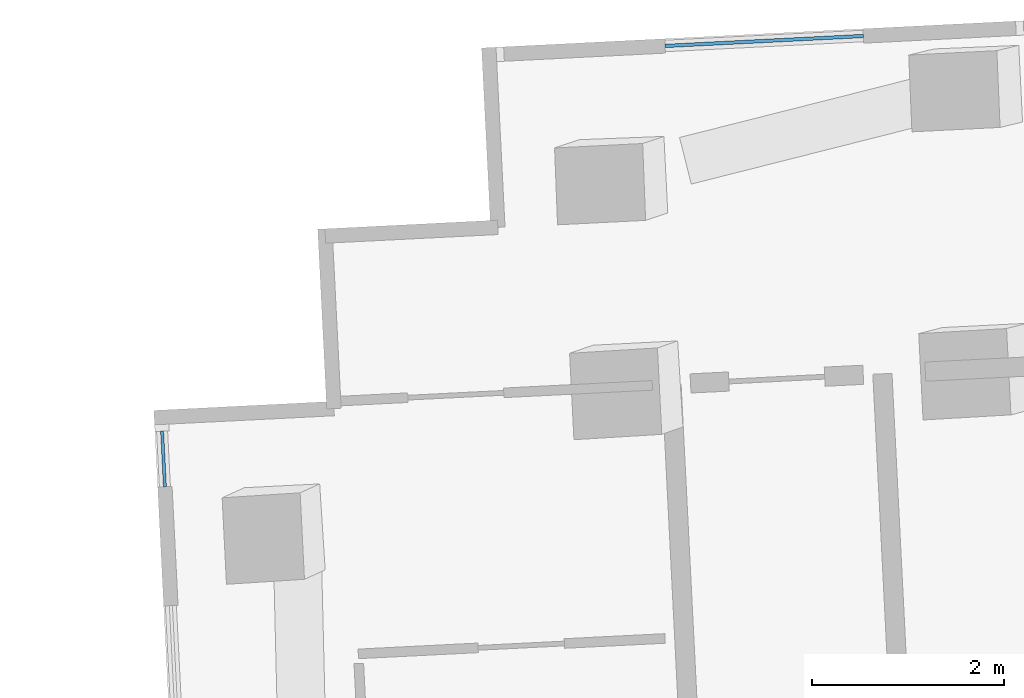
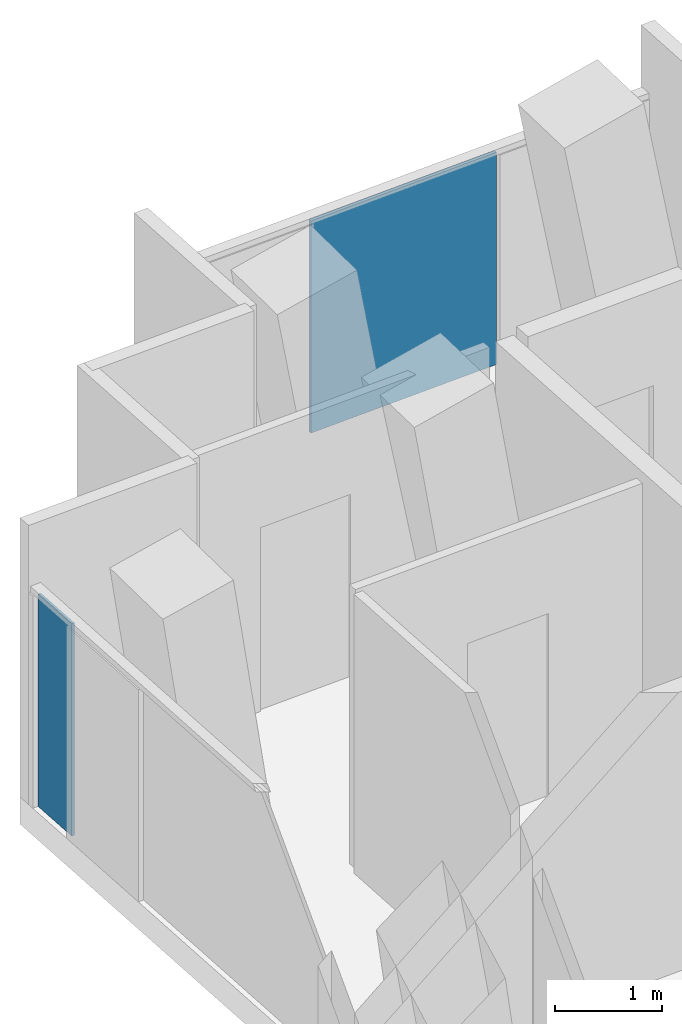
# One storey, part 16 of 25: 2 plates, 2 elements without a shape of their own.
"""IFC4 building model written with IfcOpenShell, lengths in metres."""

import ifcopenshell
import ifcopenshell.guid

model = None  # the IFC model being written
_history = None  # IfcOwnerHistory: only IFC2X3 demands one
_inside = {}  # id of a spatial element -> (the spatial element, [elements in it])
_under = {}  # id of a project, library or spatial element -> (it, [spatial elements below it])
_declared = {}  # id of a project -> (the project, [libraries it declares])
_typed = {}  # id of a type object -> (the type object, [elements of that type])
_made_of = {}  # id of a material, layer set ... -> (it, [elements and type objects made of it])


def new_model(schema):
    """Start an empty IFC model of exactly this schema.

    Asked for "IFC4X3", IfcOpenShell would pick the latest addendum, in which some entities
    have other attributes; the version numbers below select the first issue.
    IFC2X3 requires an IfcOwnerHistory on every rooted entity: one is made here for all.
    """
    global model, _history
    if schema == "IFC4X3":
        model = ifcopenshell.file(schema_version=(4, 3, 0, 0))
    else:
        model = ifcopenshell.file(schema=schema)
    _inside.clear()
    _under.clear()
    _declared.clear()
    _typed.clear()
    _made_of.clear()
    _history = None
    if model.schema == "IFC2X3":
        org = make("IfcOrganization", Name="unknown")
        user = make(
            "IfcPersonAndOrganization",
            ThePerson=make("IfcPerson", FamilyName="unknown"),
            TheOrganization=org,
        )
        app = make(
            "IfcApplication",
            ApplicationDeveloper=org,
            Version="unknown",
            ApplicationFullName="unknown",
            ApplicationIdentifier="unknown",
        )
        _history = make(
            "IfcOwnerHistory",
            OwningUser=user,
            OwningApplication=app,
            ChangeAction="ADDED",
            CreationDate=0,
        )
    return model


def make(cls, **values):
    """One entity of the class cls with the attributes given. An attribute that is None is left unset."""
    return model.create_entity(
        cls, **{name: value for name, value in values.items() if value is not None}
    )


def rooted(cls, **values):
    """An entity with a GlobalId (a new one), such as an element, a storey or a relation."""
    return make(cls, GlobalId=ifcopenshell.guid.new(), OwnerHistory=_history, **values)


def si_unit(unit_type, name, prefix=None):
    """IfcSIUnit, for example si_unit("LENGTHUNIT", "METRE", prefix="MILLI")."""
    return make("IfcSIUnit", UnitType=unit_type, Prefix=prefix, Name=name)


def assignment(units):
    """IfcUnitAssignment: the units of a project."""
    return None if units is None else make("IfcUnitAssignment", Units=units)


def point(xyz):
    """IfcCartesianPoint."""
    return None if xyz is None else make("IfcCartesianPoint", Coordinates=xyz)


def direction(xyz):
    """IfcDirection."""
    return None if xyz is None else make("IfcDirection", DirectionRatios=xyz)


def frame(location, z_axis=None, x_axis=None):
    """IfcAxis2Placement3D, a coordinate frame: its origin and axes. An axis left out is left unset."""
    return make(
        "IfcAxis2Placement3D",
        Location=point(location),
        Axis=direction(z_axis),
        RefDirection=direction(x_axis),
    )


def frame_2d(location, x_axis=None):
    """IfcAxis2Placement2D, a coordinate frame in the plane: its origin and x axis."""
    return make(
        "IfcAxis2Placement2D", Location=point(location), RefDirection=direction(x_axis)
    )


def origin():
    """The frame at (0, 0, 0) with its axes left unset."""
    return frame((0.0, 0.0, 0.0))


def origin_2d():
    """The frame at (0, 0) in the plane with its x axis left unset."""
    return frame_2d((0.0, 0.0))


def place(relative_to, where):
    """IfcLocalPlacement: puts the frame where relative to a parent placement (None: the world)."""
    return make(
        "IfcLocalPlacement", PlacementRelTo=relative_to, RelativePlacement=where
    )


def context(
    kind, dimensions, precision=None, world=None, true_north=None, identifier=None
):
    """IfcGeometricRepresentationContext, for example the 3D "Model" context."""
    return make(
        "IfcGeometricRepresentationContext",
        ContextIdentifier=identifier,
        ContextType=kind,
        CoordinateSpaceDimension=dimensions,
        Precision=precision,
        WorldCoordinateSystem=world,
        TrueNorth=true_north,
    )


def subcontext(parent, identifier, kind, view, scale=None):
    """IfcGeometricRepresentationSubContext, for example "Body" below "Model"."""
    return make(
        "IfcGeometricRepresentationSubContext",
        ContextIdentifier=identifier,
        ContextType=kind,
        ParentContext=parent,
        TargetScale=scale,
        TargetView=view,
    )


def project(units=None, contexts=None):
    """IfcProject with its units and contexts."""
    return rooted(
        "IfcProject",
        Name="project",
        RepresentationContexts=contexts,
        UnitsInContext=assignment(units),
    )


def spatial(cls, under=None, at=None, **own):
    """A site, building, storey or space (cls), placed at a placement, below another one or the project."""
    s = rooted(cls, ObjectPlacement=at, **own)
    if under is not None:
        _under.setdefault(under.id(), (under, []))[1].append(s)
    return s


def profile(cls, at=None, kind="AREA", **sizes):
    """A parametric profile (cls). Its sizes go by their IFC names, for example OverallWidth=200.0."""
    return make(cls, ProfileType=kind, Position=at, **sizes)


def rectangle(**sizes):
    """IfcRectangleProfileDef."""
    return profile("IfcRectangleProfileDef", **sizes)


def extrude(swept, where, along, depth):
    """IfcExtrudedAreaSolid: the profile swept, set in the frame where, extruded along a direction by depth."""
    return make(
        "IfcExtrudedAreaSolid",
        SweptArea=swept,
        Position=where,
        ExtrudedDirection=direction(along),
        Depth=depth,
    )


def shape(context_of_items, identifier, shape_type, items):
    """IfcShapeRepresentation: the items that make up one representation, for example the "Body"."""
    return make(
        "IfcShapeRepresentation",
        ContextOfItems=context_of_items,
        RepresentationIdentifier=identifier,
        RepresentationType=shape_type,
        Items=items,
    )


def material(Name=None, Category=None):
    """IfcMaterial."""
    return make("IfcMaterial", Name=Name, Category=Category)


def layer(
    of_material, thickness, ventilated=None, Name=None, Category=None, Priority=None
):
    """IfcMaterialLayer: one layer of a wall or slab, of a material (None: an air gap)."""
    return make(
        "IfcMaterialLayer",
        Material=of_material,
        LayerThickness=thickness,
        IsVentilated=ventilated,
        Name=Name,
        Category=Category,
        Priority=Priority,
    )


def layer_set(layers, Name=None):
    """IfcMaterialLayerSet."""
    return make("IfcMaterialLayerSet", MaterialLayers=layers, LayerSetName=Name)


def made_of(thing, what):
    """Note that an element or type object is made of a material, layer set ...; save() writes the relation."""
    if what is not None:
        _made_of.setdefault(what.id(), (what, []))[1].append(thing)
    return thing


def type_object(cls, material=None, **own):
    """A type object (cls), such as IfcWallType, which elements share."""
    return made_of(rooted(cls, **own), material)


def element(
    cls,
    number,
    at=None,
    inside=None,
    cuts=None,
    type_object=None,
    material=None,
    context=None,
    identifier="Body",
    shape_type=None,
    held_by="IfcProductDefinitionShape",
    body=None,
    shapes=None,
    **own,
):
    """One element of the class cls, such as IfcWall. Its Tag is "e" and its number.

    at: its placement. inside: the storey or other place that contains it. cuts: it is an
    opening in that element (IfcRelVoidsElement). A single representation is given by context,
    identifier, shape_type and body (its items); several are given by shapes. held_by: the class
    of the entity that holds the representations. save() writes the other relations.
    """
    e = rooted(cls, Tag="e%d" % number, ObjectPlacement=at, **own)
    if body is not None:
        shapes = [shape(context, identifier, shape_type, body)]
    if shapes is not None:
        e.Representation = make(held_by, Representations=shapes)
    if inside is not None:
        _inside.setdefault(inside.id(), (inside, []))[1].append(e)
    if cuts is not None:
        rooted(
            "IfcRelVoidsElement", RelatingBuildingElement=cuts, RelatedOpeningElement=e
        )
    if type_object is not None:
        _typed.setdefault(type_object.id(), (type_object, []))[1].append(e)
    return made_of(e, material)


def aggregate(whole, parts):
    """IfcRelAggregates: a whole, such as a stair, and the parts it consists of."""
    return rooted("IfcRelAggregates", RelatingObject=whole, RelatedObjects=parts)


def save(model, path):
    """Write the relations noted so far, then the file.

    IfcRelAggregates (storeys below a building ...), IfcRelContainedInSpatialStructure (elements
    in a storey), IfcRelDefinesByType, IfcRelAssociatesMaterial and IfcRelDeclares: one each for
    every whole, place, type object, material and project.
    """
    for whole, parts in _under.values():
        aggregate(whole, parts)
    for where, things in _inside.values():
        rooted(
            "IfcRelContainedInSpatialStructure",
            RelatedElements=things,
            RelatingStructure=where,
        )
    for kind, things in _typed.values():
        rooted("IfcRelDefinesByType", RelatedObjects=things, RelatingType=kind)
    for what, things in _made_of.values():
        rooted("IfcRelAssociatesMaterial", RelatedObjects=things, RelatingMaterial=what)
    for by, libraries in _declared.values():
        rooted("IfcRelDeclares", RelatingContext=by, RelatedDefinitions=libraries)
    model.write(path)


model = new_model("IFC4")

# Units and contexts
model_context = context("Model", 3, precision=1e-05, world=origin(), true_north=direction((0.0, 1.0)))
body_context = subcontext(model_context, "Body", "Model", "MODEL_VIEW")
ifc_project = project(units=[si_unit("LENGTHUNIT", "METRE"), si_unit("AREAUNIT", "SQUARE_METRE"), si_unit("VOLUMEUNIT", "CUBIC_METRE"), si_unit("PLANEANGLEUNIT", "RADIAN"), si_unit("MASSUNIT", "GRAM", prefix="KILO")], contexts=[model_context])

# Site, building, storey
site_placement = place(None, origin())
site = spatial("IfcSite", under=ifc_project, at=site_placement, CompositionType="ELEMENT")
building_placement = place(site_placement, origin())
building = spatial("IfcBuilding", under=site, at=building_placement, Name="Verdalira Terraces Hotel", CompositionType="ELEMENT")
storey_placement = place(building_placement, frame((0.0, 0.0, 46.0)))
storey = spatial("IfcBuildingStorey", under=building, at=storey_placement, Name="L09", CompositionType="ELEMENT", Elevation=46.0)

# Curtain wall, plate
ifc_material_1 = material(Name="Clear glass", Category="glass")
ifc_layer_1 = layer(ifc_material_1, 0.14990234375)
ifc_layer_set_1 = layer_set([ifc_layer_1], Name="CW2 curtain wall")
curtain_wall_type_1 = type_object("IfcCurtainWallType", Name="CW2 curtain wall", PredefinedType="NOTDEFINED", material=ifc_layer_set_1)
curtain_wall_1_placement = place(storey_placement, origin())
curtain_wall_1 = element("IfcCurtainWall", 1, at=curtain_wall_1_placement, inside=storey, type_object=curtain_wall_type_1, Name="CW2 curtain wall L09 edge 10", PredefinedType="NOTDEFINED")
ifc_material_2 = material(Name="Clear glass", Category="glass")
ifc_layer_2 = layer(ifc_material_2, 0.031982421875)
ifc_layer_set_2 = layer_set([ifc_layer_2], Name="CW2 glass unit 32")
plate_type_1 = type_object("IfcPlateType", Name="CW2 glass unit 32", PredefinedType="CURTAIN_PANEL", material=ifc_layer_set_2)
plate_1_placement = place(storey_placement, frame((-8.460205, 40.294434, 0.0), z_axis=(0.0, 0.0, 1.0), x_axis=(0.050244318, -0.998736957, 0.0)))
plate_1 = element("IfcPlate", 2, at=plate_1_placement, type_object=plate_type_1, Name="CW2 glass unit", PredefinedType="CURTAIN_PANEL", context=body_context, shape_type="SweptSolid", body=[
    extrude(rectangle(XDim=0.580078, YDim=0.031982, at=origin_2d()), origin(), (0.0, 0.0, 1.0), 2.425049),
])
aggregate(curtain_wall_1, [plate_1])

ifc_material_3 = material(Name="Clear glass", Category="glass")
ifc_layer_3 = layer(ifc_material_3, 0.14990234375)
ifc_layer_set_3 = layer_set([ifc_layer_3], Name="CW3 curtain wall")
curtain_wall_type_2 = type_object("IfcCurtainWallType", Name="CW3 curtain wall", PredefinedType="NOTDEFINED", material=ifc_layer_set_3)
curtain_wall_2_placement = place(storey_placement, origin())
curtain_wall_2 = element("IfcCurtainWall", 3, at=curtain_wall_2_placement, inside=storey, type_object=curtain_wall_type_2, Name="CW3 curtain wall L09 edge 5", PredefinedType="NOTDEFINED")
ifc_material_4 = material(Name="Clear glass", Category="glass")
ifc_layer_4 = layer(ifc_material_4, 0.035888671875)
ifc_layer_set_4 = layer_set([ifc_layer_4], Name="CW3 glass unit 36")
plate_type_2 = type_object("IfcPlateType", Name="CW3 glass unit 36", PredefinedType="CURTAIN_PANEL", material=ifc_layer_set_4)
plate_2_placement = place(storey_placement, frame((-2.201904, 44.64917, 0.0), z_axis=(0.0, 0.0, 1.0), x_axis=(-0.998736957, -0.050244318, 0.0)))
plate_2 = element("IfcPlate", 4, at=plate_2_placement, type_object=plate_type_2, Name="CW3 glass unit", PredefinedType="CURTAIN_PANEL", context=body_context, shape_type="SweptSolid", body=[
    extrude(rectangle(XDim=2.068359, YDim=0.035889, at=origin_2d()), origin(), (0.0, 0.0, 1.0), 2.425049),
])
aggregate(curtain_wall_2, [plate_2])

save(model, "model.ifc")
